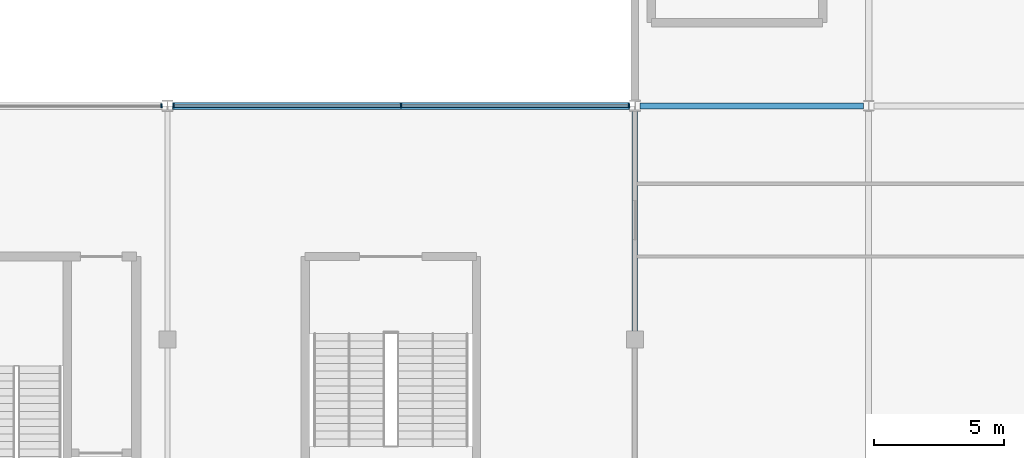
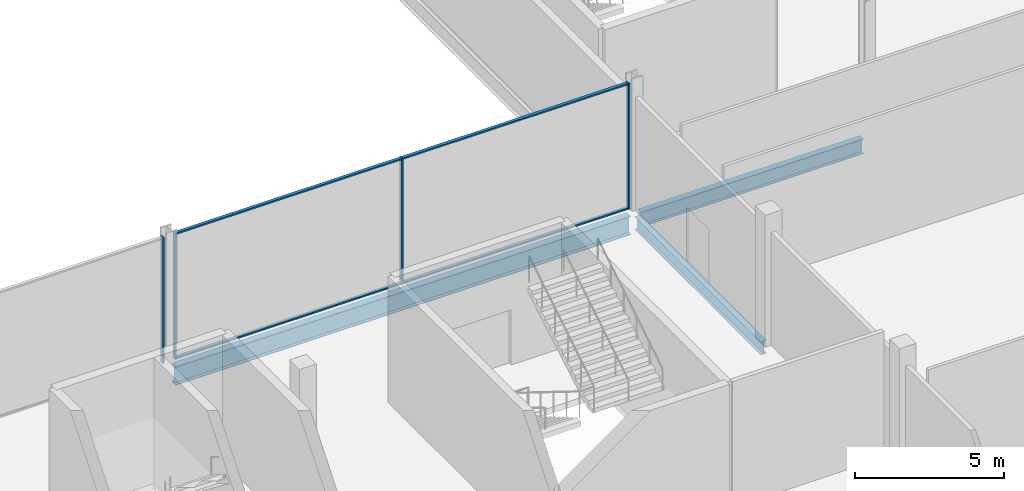
# One storey, part 45 of 111: 8 members, 3 beams, 2 elements without a shape of their own.
"""IFC4 building model written with IfcOpenShell, lengths in metres."""

from ifc_helpers import new_model, si_unit, direction, frame, origin, origin_2d, place, context, subcontext, project, spatial, rectangle, i_section, extrude, material, layer, layer_set, material_profile, profile_set, type_object, element, aggregate, save


model = new_model("IFC4")

# Units and contexts
model_context = context("Model", 3, precision=1e-05, world=origin(), true_north=direction((0.0, 1.0)))
body_context = subcontext(model_context, "Body", "Model", "MODEL_VIEW")
ifc_project = project(units=[si_unit("LENGTHUNIT", "METRE"), si_unit("AREAUNIT", "SQUARE_METRE"), si_unit("VOLUMEUNIT", "CUBIC_METRE"), si_unit("PLANEANGLEUNIT", "RADIAN"), si_unit("MASSUNIT", "GRAM", prefix="KILO")], contexts=[model_context])

# Site, building, storey
site_placement = place(None, origin())
site = spatial("IfcSite", under=ifc_project, at=site_placement, CompositionType="ELEMENT")
building_placement = place(site_placement, origin())
building = spatial("IfcBuilding", under=site, at=building_placement, Name="Kisiwana Market Hall", CompositionType="ELEMENT")
storey_placement = place(building_placement, frame((0.0, 0.0, 11.39990234375)))
storey = spatial("IfcBuildingStorey", under=building, at=storey_placement, Name="L02", CompositionType="ELEMENT", Elevation=11.39990234375)

# Beams
ifc_material_1 = material(Name="Steel S355", Category="steel")
ifc_material_profile_1 = material_profile(ifc_material_1, i_section(OverallWidth=0.209228515625, OverallDepth=0.533203125, WebThickness=0.010009765625, FlangeThickness=0.015625, at=origin_2d()), Name="UB 533x210x92")
ifc_profile_set_1 = profile_set([ifc_material_profile_1], Name="Steel S355")
beam_type_1 = type_object("IfcBeamType", Name="BM-GIRD-UB533", PredefinedType="BEAM", material=ifc_profile_set_1)
beam_1_placement = place(storey_placement, frame((153.0, 27.321044921875, -0.516357421875), z_axis=(0.0, 1.0, 0.0), x_axis=(-1.0, 0.0, 0.0)))
element("IfcBeam", 1, at=beam_1_placement, inside=storey, type_object=beam_type_1, Name="Primary girder B-0664", PredefinedType="BEAM", context=body_context, shape_type="SweptSolid", body=[
    extrude(i_section(OverallWidth=0.209228515625, OverallDepth=0.533203125, WebThickness=0.010009765625, FlangeThickness=0.015625, at=origin_2d()), origin(), (0.0, 0.0, 1.0), 8.465576171875),
])
ifc_material_2 = material(Name="Steel S355", Category="steel")
ifc_material_profile_2 = material_profile(ifc_material_2, i_section(OverallWidth=0.22900390625, OverallDepth=0.6123046875, WebThickness=0.011962890625, FlangeThickness=0.01953125, at=origin_2d()), Name="UB 610x229x125")
ifc_profile_set_2 = profile_set([ifc_material_profile_2], Name="Steel S355")
beam_type_2 = type_object("IfcBeamType", Name="BM-GIRD-UB610H", PredefinedType="BEAM", material=ifc_profile_set_2)
beam_2_placement = place(storey_placement, frame((153.201904296875, 36.0, -0.555908203125), z_axis=(1.0, 0.0, 0.0), x_axis=(0.0, 1.0, 0.0)))
element("IfcBeam", 2, at=beam_2_placement, inside=storey, type_object=beam_type_2, Name="Floor beam B-0767", PredefinedType="BEAM", context=body_context, shape_type="SweptSolid", body=[
    extrude(i_section(OverallWidth=0.22900390625, OverallDepth=0.6123046875, WebThickness=0.011962890625, FlangeThickness=0.01953125, at=origin_2d()), origin(), (0.0, 0.0, 1.0), 8.59619140625),
])
ifc_material_3 = material(Name="Steel S355", Category="steel")
ifc_material_profile_3 = material_profile(ifc_material_3, i_section(OverallWidth=0.2666015625, OverallDepth=0.76220703125, WebThickness=0.014404296875, FlangeThickness=0.021484375, at=origin_2d()), Name="UB 762x267x173")
ifc_profile_set_3 = profile_set([ifc_material_profile_3], Name="Steel S355")
beam_type_3 = type_object("IfcBeamType", Name="BM-GIRD-UB762", PredefinedType="BEAM", material=ifc_profile_set_3)
beam_3_placement = place(storey_placement, frame((135.201904296875, 36.0, -0.631103515625), z_axis=(1.0, 0.0, 0.0), x_axis=(0.0, 1.0, 0.0)))
element("IfcBeam", 3, at=beam_3_placement, inside=storey, type_object=beam_type_3, Name="Floor beam B-0766", PredefinedType="BEAM", context=body_context, shape_type="SweptSolid", body=[
    extrude(i_section(OverallWidth=0.2666015625, OverallDepth=0.76220703125, WebThickness=0.014404296875, FlangeThickness=0.021484375, at=origin_2d()), origin(), (0.0, 0.0, 1.0), 17.59619140625),
])

# Curtain wall, member
ifc_material_4 = material(Name="Double-glazed solar-control low-E IGU", Category="glass")
ifc_layer = layer(ifc_material_4, 0.159912109375)
ifc_layer_set = layer_set([ifc_layer], Name="CW-GLD-E-7200")
curtain_wall_type = type_object("IfcCurtainWallType", Name="CW-GLD-E-7200", PredefinedType="USERDEFINED", material=ifc_layer_set)
curtain_wall_1_placement = place(storey_placement, origin())
curtain_wall_1 = element("IfcCurtainWall", 4, at=curtain_wall_1_placement, inside=storey, type_object=curtain_wall_type, Name="Unitised curtain wall CW-069 (L02)", ObjectType="UNITISED CURTAIN WALL", PredefinedType="USERDEFINED")
ifc_material_5 = material(Name="Aluminium alloy 6063-T6", Category="aluminium")
ifc_material_profile_4 = material_profile(ifc_material_5, rectangle(XDim=0.06005859375, YDim=0.159912109375, at=origin_2d()), Name="ALU MULLION 60x160")
ifc_profile_set_4 = profile_set([ifc_material_profile_4], Name="Aluminium alloy 6063-T6")
member_type_1 = type_object("IfcMemberType", Name="CW-MULL-60x160", PredefinedType="MULLION", material=ifc_profile_set_4)
member_1_placement = place(storey_placement, frame((134.763916015625, 36.0, 0.0), z_axis=(0.0, 0.0, 1.0), x_axis=(1.0, 0.0, 0.0)))
member_1 = element("IfcMember", 5, at=member_1_placement, type_object=member_type_1, Name="CW-069 mullion 3", PredefinedType="MULLION", context=body_context, shape_type="SweptSolid", body=[
    extrude(rectangle(XDim=0.06005859375, YDim=0.159912109375, at=origin_2d()), origin(), (0.0, 0.0, 1.0), 5.150146484375),
])
aggregate(curtain_wall_1, [member_1])

# Curtain wall, members
curtain_wall_2_placement = place(storey_placement, origin())
curtain_wall_2 = element("IfcCurtainWall", 6, at=curtain_wall_2_placement, inside=storey, type_object=curtain_wall_type, Name="Unitised curtain wall CW-070 (L02)", ObjectType="UNITISED CURTAIN WALL", PredefinedType="USERDEFINED")
member_2_placement = place(storey_placement, frame((135.236083984375, 36.0, 0.0), z_axis=(0.0, 0.0, 1.0), x_axis=(1.0, 0.0, 0.0)))
member_2 = element("IfcMember", 7, at=member_2_placement, type_object=member_type_1, Name="CW-070 mullion 1", PredefinedType="MULLION", context=body_context, shape_type="SweptSolid", body=[
    extrude(rectangle(XDim=0.06005859375, YDim=0.159912109375, at=origin_2d()), origin(), (0.0, 0.0, 1.0), 5.150146484375),
])
member_3_placement = place(storey_placement, frame((144.0, 36.0, 0.0), z_axis=(0.0, 0.0, 1.0), x_axis=(1.0, 0.0, 0.0)))
member_3 = element("IfcMember", 8, at=member_3_placement, type_object=member_type_1, Name="CW-070 mullion 2", PredefinedType="MULLION", context=body_context, shape_type="SweptSolid", body=[
    extrude(rectangle(XDim=0.06005859375, YDim=0.159912109375, at=origin_2d()), origin(), (0.0, 0.0, 1.0), 5.150146484375),
])
member_4_placement = place(storey_placement, frame((152.763916015625, 36.0, 0.0), z_axis=(0.0, 0.0, 1.0), x_axis=(1.0, 0.0, 0.0)))
member_4 = element("IfcMember", 9, at=member_4_placement, type_object=member_type_1, Name="CW-070 mullion 3", PredefinedType="MULLION", context=body_context, shape_type="SweptSolid", body=[
    extrude(rectangle(XDim=0.06005859375, YDim=0.159912109375, at=origin_2d()), origin(), (0.0, 0.0, 1.0), 5.150146484375),
])
ifc_material_6 = material(Name="Aluminium alloy 6063-T6", Category="aluminium")
ifc_material_profile_5 = material_profile(ifc_material_6, rectangle(XDim=0.1201171875, YDim=0.06005859375, at=origin_2d()), Name="ALU TRANSOM 60x120")
ifc_profile_set_5 = profile_set([ifc_material_profile_5], Name="Aluminium alloy 6063-T6")
member_type_2 = type_object("IfcMemberType", Name="CW-TRAN-60x120", PredefinedType="USERDEFINED", material=ifc_profile_set_5)
member_5_placement = place(storey_placement, frame((135.26611328125, 36.0, 0.030029296875), z_axis=(1.0, 0.0, 0.0), x_axis=(0.0, 1.0, 0.0)))
member_5 = element("IfcMember", 10, at=member_5_placement, type_object=member_type_2, Name="CW-070 transom 1.1", ObjectType="TRANSOM", PredefinedType="USERDEFINED", context=body_context, shape_type="SweptSolid", body=[
    extrude(rectangle(XDim=0.1201171875, YDim=0.06005859375, at=origin_2d()), origin(), (0.0, 0.0, 1.0), 8.703857421875),
])
member_6_placement = place(storey_placement, frame((135.26611328125, 36.0, 5.1201171875), z_axis=(1.0, 0.0, 0.0), x_axis=(0.0, 1.0, 0.0)))
member_6 = element("IfcMember", 11, at=member_6_placement, type_object=member_type_2, Name="CW-070 transom 1.2", ObjectType="TRANSOM", PredefinedType="USERDEFINED", context=body_context, shape_type="SweptSolid", body=[
    extrude(rectangle(XDim=0.1201171875, YDim=0.06005859375, at=origin_2d()), origin(), (0.0, 0.0, 1.0), 8.703857421875),
])
member_7_placement = place(storey_placement, frame((144.030029296875, 36.0, 0.030029296875), z_axis=(1.0, 0.0, 0.0), x_axis=(0.0, 1.0, 0.0)))
member_7 = element("IfcMember", 12, at=member_7_placement, type_object=member_type_2, Name="CW-070 transom 2.1", ObjectType="TRANSOM", PredefinedType="USERDEFINED", context=body_context, shape_type="SweptSolid", body=[
    extrude(rectangle(XDim=0.1201171875, YDim=0.06005859375, at=origin_2d()), origin(), (0.0, 0.0, 1.0), 8.703857421875),
])
member_8_placement = place(storey_placement, frame((144.030029296875, 36.0, 5.1201171875), z_axis=(1.0, 0.0, 0.0), x_axis=(0.0, 1.0, 0.0)))
member_8 = element("IfcMember", 13, at=member_8_placement, type_object=member_type_2, Name="CW-070 transom 2.2", ObjectType="TRANSOM", PredefinedType="USERDEFINED", context=body_context, shape_type="SweptSolid", body=[
    extrude(rectangle(XDim=0.1201171875, YDim=0.06005859375, at=origin_2d()), origin(), (0.0, 0.0, 1.0), 8.703857421875),
])
aggregate(curtain_wall_2, [member_2, member_3, member_4, member_5, member_6, member_7, member_8])

save(model, "model.ifc")
